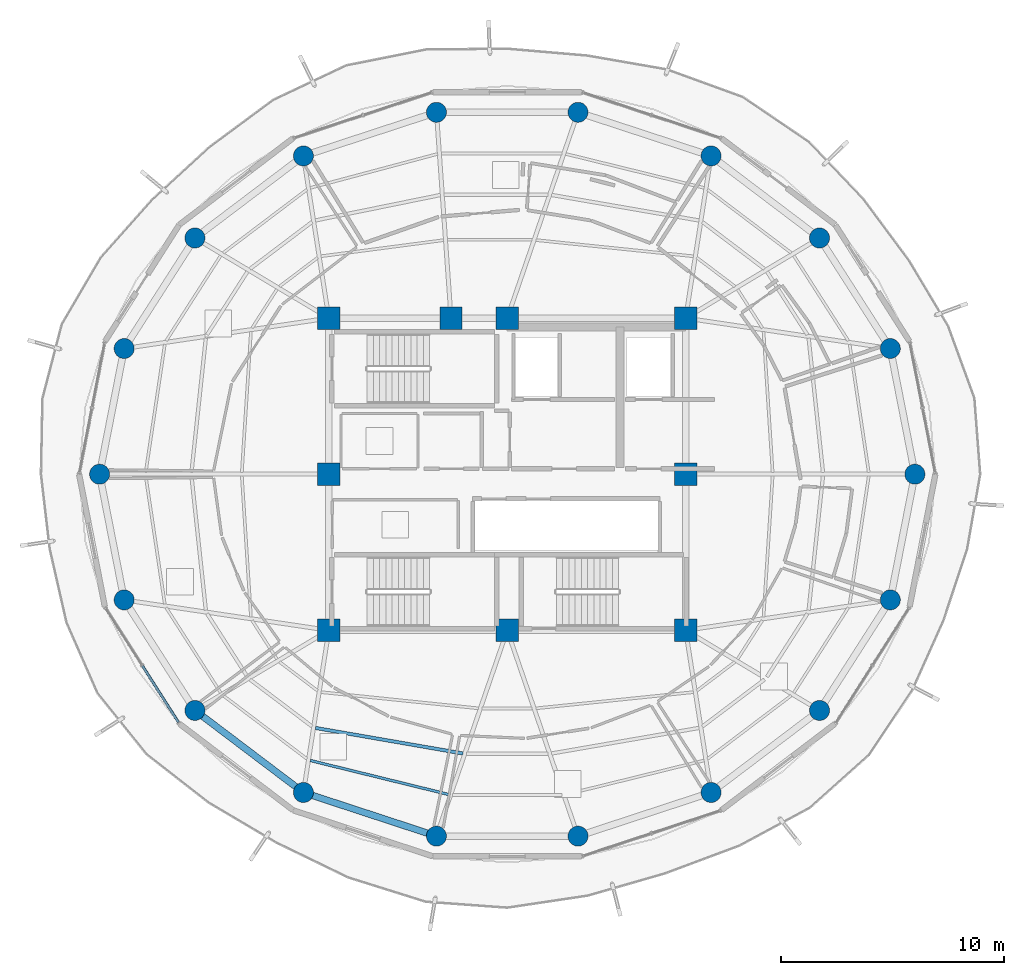
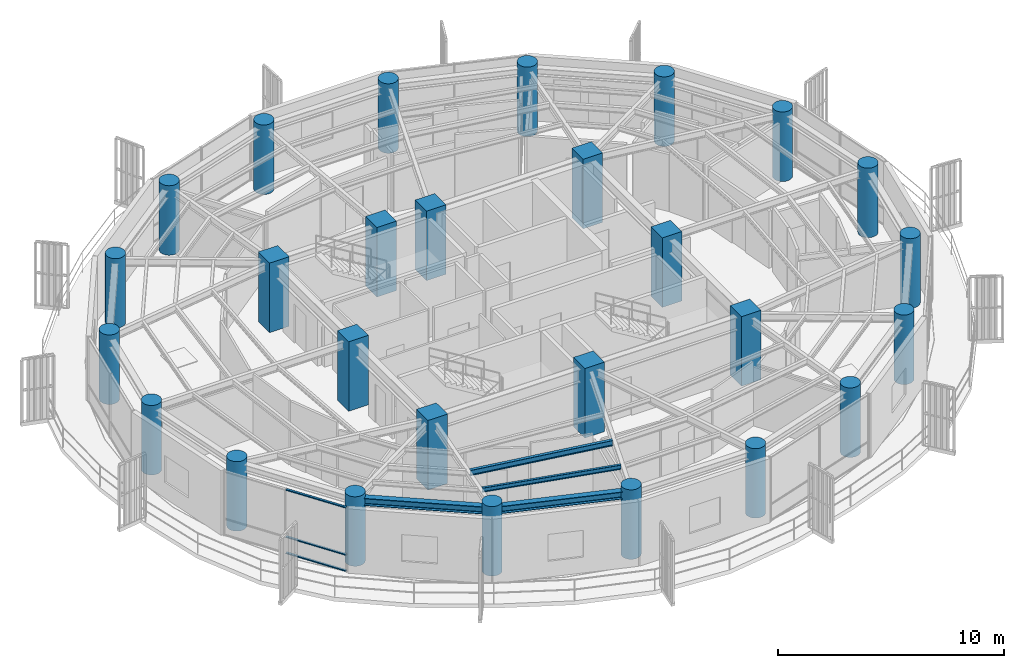
# One storey, part 1 of 22: 27 columns, 4 beams, 3 members, 1 element without a shape of its own.
"""IFC4 building model written with IfcOpenShell, lengths in metres."""

from ifc_helpers import new_model, si_unit, direction, frame, origin, origin_2d, place, context, subcontext, project, spatial, rectangle, hollow_rectangle, circle, i_section, extrude, material, layer, layer_set, material_profile, profile_set, type_object, element, aggregate, save


model = new_model("IFC4")

# Units and contexts
model_context = context("Model", 3, precision=1e-05, world=origin(), true_north=direction((0.0, 1.0)))
body_context = subcontext(model_context, "Body", "Model", "MODEL_VIEW")
ifc_project = project(units=[si_unit("LENGTHUNIT", "METRE"), si_unit("AREAUNIT", "SQUARE_METRE"), si_unit("VOLUMEUNIT", "CUBIC_METRE"), si_unit("PLANEANGLEUNIT", "RADIAN"), si_unit("MASSUNIT", "GRAM", prefix="KILO")], contexts=[model_context])

# Site, building, storey
site_placement = place(None, origin())
site = spatial("IfcSite", under=ifc_project, at=site_placement, CompositionType="ELEMENT")
building_placement = place(site_placement, origin())
building = spatial("IfcBuilding", under=site, at=building_placement, Name="Kelanora Arch Commons", CompositionType="ELEMENT")
storey_placement = place(building_placement, frame((0.0, 0.0, 263.699951171875)))
storey = spatial("IfcBuildingStorey", under=building, at=storey_placement, Name="L67", CompositionType="ELEMENT", Elevation=263.699951171875)

# Columns
ifc_material_1 = material(Name="Concrete C50/60", Category="concrete")
ifc_material_profile_1 = material_profile(ifc_material_1, circle(Radius=0.449951171875, at=origin_2d()), Name="RCC900")
ifc_profile_set_1 = profile_set([ifc_material_profile_1], Name="Concrete C50/60")
column_type_1 = type_object("IfcColumnType", Name="COL-PERIM-Z5", PredefinedType="COLUMN", material=ifc_profile_set_1)
for number, where, z_axis, x_axis, name in (
    (1, (92.280029296875, 58.0, 0.0), (0.0, 0.0, 1.0), (1.0, 0.0, 0.0), "Perimeter Ring Column CP-00 L67"),
    (2, (91.177490234375, 63.636474609375, 0.0), (0.0, 0.0, 1.0), (1.0, 0.0, 0.0), "Perimeter Ring Column CP-02 L67"),
    (3, (88.00341796875, 68.593017578125, 0.0), (0.0, 0.0, 1.0), (1.0, 0.0, 0.0), "Perimeter Ring Column CP-04 L67"),
    (4, (83.139892578125, 72.272216796875, 0.0), (0.0, 0.0, 1.0), (1.0, 0.0, 0.0), "Perimeter Ring Column CP-06 L67"),
    (5, (77.17431640625, 74.2294921875, 0.0), (0.0, 0.0, 1.0), (1.0, 0.0, 0.0), "Perimeter Ring Column CP-08 L67"),
    (6, (70.82568359375, 74.2294921875, 0.0), (0.0, 0.0, 1.0), (1.0, 0.0, 0.0), "Perimeter Ring Column CP-10 L67"),
    (7, (64.860107421875, 72.272216796875, 0.0), (0.0, 0.0, 1.0), (1.0, 0.0, 0.0), "Perimeter Ring Column CP-12 L67"),
    (8, (59.99658203125, 68.593017578125, 0.0), (0.0, 0.0, 1.0), (1.0, 0.0, 0.0), "Perimeter Ring Column CP-14 L67"),
    (9, (56.822509765625, 63.636474609375, 0.0), (0.0, 0.0, 1.0), (1.0, 0.0, 0.0), "Perimeter Ring Column CP-16 L67"),
    (10, (55.719970703125, 58.0, 0.0), (0.0, 0.0, 1.0), (1.0, 0.0, 0.0), "Perimeter Ring Column CP-18 L67"),
    (11, (56.822509765625, 52.363525390625, 0.0), (0.0, 0.0, 1.0), (1.0, 0.0, 0.0), "Perimeter Ring Column CP-20 L67"),
    (12, (59.99658203125, 47.406982421875, 0.0), (0.0, 0.0, 1.0), (1.0, 0.0, 0.0), "Perimeter Ring Column CP-22 L67"),
    (13, (64.860107421875, 43.727783203125, 0.0), (0.0, 0.0, 1.0), (1.0, 0.0, 0.0), "Perimeter Ring Column CP-24 L67"),
    (14, (70.82568359375, 41.7705078125, 0.0), (0.0, 0.0, 1.0), (1.0, 0.0, 0.0), "Perimeter Ring Column CP-26 L67"),
    (15, (77.17431640625, 41.7705078125, 0.0), (0.0, 0.0, 1.0), (1.0, 0.0, 0.0), "Perimeter Ring Column CP-28 L67"),
    (16, (83.139892578125, 43.727783203125, 0.0), (0.0, 0.0, 1.0), (1.0, 0.0, 0.0), "Perimeter Ring Column CP-30 L67"),
    (17, (88.00341796875, 47.406982421875, 0.0), (0.0, 0.0, 1.0), (1.0, 0.0, 0.0), "Perimeter Ring Column CP-32 L67"),
    (18, (91.177490234375, 52.363525390625, 0.0), (0.0, 0.0, 1.0), (1.0, 0.0, 0.0), "Perimeter Ring Column CP-34 L67"),
):
    element("IfcColumn", number, at=place(storey_placement, frame(where, z_axis=z_axis, x_axis=x_axis)), inside=storey, type_object=column_type_1, Name=name, PredefinedType="COLUMN", context=body_context, shape_type="SweptSolid", body=[
        extrude(circle(Radius=0.449951171875, at=origin_2d()), origin(), (0.0, 0.0, 1.0), 3.75),
    ])
ifc_material_profile_2 = material_profile(ifc_material_1, rectangle(XDim=1.0, YDim=1.0, at=origin_2d()), Name="RC1000x1000")
ifc_profile_set_2 = profile_set([ifc_material_profile_2], Name="Concrete C50/60")
column_type_2 = type_object("IfcColumnType", Name="COL-PIL-HIGH", PredefinedType="PILASTER", material=ifc_profile_set_2)
for number, where, z_axis, x_axis, name in (
    (19, (66.0, 51.0, 0.0), (0.0, 0.0, 1.0), (1.0, 0.0, 0.0), "Core Pilaster Column CP1 L67"),
    (20, (74.0, 51.0, 0.0), (0.0, 0.0, 1.0), (1.0, 0.0, 0.0), "Core Pilaster Column CP2 L67"),
    (21, (82.0, 51.0, 0.0), (0.0, 0.0, 1.0), (1.0, 0.0, 0.0), "Core Pilaster Column CP3 L67"),
    (22, (82.0, 58.0, 0.0), (0.0, 0.0, 1.0), (1.0, 0.0, 0.0), "Core Pilaster Column CP4 L67"),
    (23, (82.0, 65.0, 0.0), (0.0, 0.0, 1.0), (1.0, 0.0, 0.0), "Core Pilaster Column CP5 L67"),
    (24, (74.0, 65.0, 0.0), (0.0, 0.0, 1.0), (1.0, 0.0, 0.0), "Core Pilaster Column CP6 L67"),
    (25, (71.47998046875, 65.0, 0.0), (0.0, 0.0, 1.0), (1.0, 0.0, 0.0), "Core Pilaster Column CP9 L67"),
    (26, (66.0, 65.0, 0.0), (0.0, 0.0, 1.0), (1.0, 0.0, 0.0), "Core Pilaster Column CP7 L67"),
    (27, (66.0, 58.0, 0.0), (0.0, 0.0, 1.0), (1.0, 0.0, 0.0), "Core Pilaster Column CP8 L67"),
):
    element("IfcColumn", number, at=place(storey_placement, frame(where, z_axis=z_axis, x_axis=x_axis)), inside=storey, type_object=column_type_2, Name=name, PredefinedType="PILASTER", context=body_context, shape_type="SweptSolid", body=[
        extrude(rectangle(XDim=1.0, YDim=1.0, at=origin_2d()), origin(), (0.0, 0.0, 1.0), 3.75),
    ])

# Beams
ifc_material_2 = material(Name="Steel S355", Category="steel")
ifc_material_profile_3 = material_profile(ifc_material_2, i_section(OverallWidth=0.14990234375, OverallDepth=0.300048828125, WebThickness=0.007080078125, FlangeThickness=0.0107421875, FilletRadius=0.014892578125, at=origin_2d()), Name="IPE300")
ifc_profile_set_3 = profile_set([ifc_material_profile_3], Name="Steel S355")
beam_type_1 = type_object("IfcBeamType", Name="BM-JST-01", PredefinedType="JOIST", material=ifc_profile_set_3)
beam_1_placement = place(storey_placement, frame((65.39990234375, 46.622314453125, 3.340087890625), z_axis=(0.985321568263, -0.170708544357, 0.0), x_axis=(0.170708544357, 0.985321568263, 0.0)))
element("IfcBeam", 28, at=beam_1_placement, inside=storey, type_object=beam_type_1, Name="Secondary Chord Joist BJB-24 L67", PredefinedType="JOIST", context=body_context, shape_type="SweptSolid", body=[
    extrude(i_section(OverallWidth=0.14990234375, OverallDepth=0.300048828125, WebThickness=0.007080078125, FlangeThickness=0.0107421875, FilletRadius=0.014892578125, at=origin_2d()), origin(), (0.0, 0.0, 1.0), 6.710205078125),
])
ifc_material_profile_4 = material_profile(ifc_material_2, i_section(OverallWidth=0.1201171875, OverallDepth=0.239990234375, WebThickness=0.006103515625, FlangeThickness=0.009765625, FilletRadius=0.014892578125, at=origin_2d()), Name="IPE240")
ifc_profile_set_4 = profile_set([ifc_material_profile_4], Name="Steel S355")
beam_type_2 = type_object("IfcBeamType", Name="BM-JST-02", PredefinedType="JOIST", material=ifc_profile_set_4)
beam_2_placement = place(storey_placement, frame((65.17041015625, 45.162109375, 3.3701171875), z_axis=(0.971109719488, -0.23863342749, 0.0), x_axis=(0.23863342749, 0.971109719488, 0.0)))
element("IfcBeam", 29, at=beam_2_placement, inside=storey, type_object=beam_type_2, Name="Secondary Chord Joist BJC-24 L67", PredefinedType="JOIST", context=body_context, shape_type="SweptSolid", body=[
    extrude(i_section(OverallWidth=0.1201171875, OverallDepth=0.239990234375, WebThickness=0.006103515625, FlangeThickness=0.009765625, FilletRadius=0.014892578125, at=origin_2d()), origin(), (0.0, 0.0, 1.0), 6.39208984375),
])
ifc_material_profile_5 = material_profile(ifc_material_2, i_section(OverallWidth=0.300048828125, OverallDepth=0.39990234375, WebThickness=0.013427734375, FlangeThickness=0.02392578125, FilletRadius=0.027099609375, at=origin_2d()), Name="HEB400")
ifc_profile_set_5 = profile_set([ifc_material_profile_5], Name="Steel S355")
beam_type_3 = type_object("IfcBeamType", Name="BM-SPN-Z4", PredefinedType="SPANDREL", material=ifc_profile_set_5)
beam_3_placement = place(storey_placement, frame((59.99658203125, 47.406982421875, 3.2900390625), z_axis=(0.797509460967, -0.603306439273, 0.0), x_axis=(0.603306439273, 0.797509460967, 0.0)))
element("IfcBeam", 30, at=beam_3_placement, inside=storey, type_object=beam_type_3, Name="Perimeter Spandrel Beam BS-22 L67", PredefinedType="SPANDREL", context=body_context, shape_type="SweptSolid", body=[
    extrude(i_section(OverallWidth=0.300048828125, OverallDepth=0.39990234375, WebThickness=0.013427734375, FlangeThickness=0.02392578125, FilletRadius=0.027099609375, at=origin_2d()), origin(), (0.0, 0.0, 1.0), 6.098388671875),
])
beam_4_placement = place(storey_placement, frame((64.860107421875, 43.727783203125, 3.2900390625), z_axis=(0.950165923039, -0.311744636996, 0.0), x_axis=(0.311744636996, 0.950165923039, 0.0)))
element("IfcBeam", 31, at=beam_4_placement, inside=storey, type_object=beam_type_3, Name="Perimeter Spandrel Beam BS-24 L67", PredefinedType="SPANDREL", context=body_context, shape_type="SweptSolid", body=[
    extrude(i_section(OverallWidth=0.300048828125, OverallDepth=0.39990234375, WebThickness=0.013427734375, FlangeThickness=0.02392578125, FilletRadius=0.027099609375, at=origin_2d()), origin(), (0.0, 0.0, 1.0), 6.278564453125),
])

# Curtain wall, members
ifc_material_3 = material(Name="Terracotta ceramic-fritted low-E glass and aluminium", Category="masonry")
ifc_layer = layer(ifc_material_3, 0.18994140625)
ifc_layer_set = layer_set([ifc_layer], Name="Terracotta ceramic-fritted low-E glass and aluminium")
curtain_wall_type = type_object("IfcCurtainWallType", Name="CW-SYS-03", PredefinedType="NOTDEFINED", material=ifc_layer_set)
curtain_wall_placement = place(storey_placement, origin())
curtain_wall = element("IfcCurtainWall", 32, at=curtain_wall_placement, inside=storey, type_object=curtain_wall_type, Name="Unitised Curtain Wall L67-B10", PredefinedType="NOTDEFINED")
ifc_material_4 = material(Name="Powder-coated aluminium terracotta", Category="masonry")
ifc_material_profile_6 = material_profile(ifc_material_4, hollow_rectangle(XDim=0.1201171875, YDim=0.06005859375, WallThickness=0.0048828125, InnerFilletRadius=0.0048828125, OuterFilletRadius=0.010009765625, at=origin_2d()), Name="CWT120x60")
ifc_profile_set_6 = profile_set([ifc_material_profile_6], Name="Powder-coated aluminium terracotta")
member_type = type_object("IfcMemberType", Name="CWT-STD", PredefinedType="USERDEFINED", material=ifc_profile_set_6)
member_1_placement = place(storey_placement, frame((57.64111328125, 49.40673828125, 0.030029296875), z_axis=(0.537286543791, -0.84339976871, 0.0), x_axis=(0.84339976871, 0.537286543791, 0.0)))
member_1 = element("IfcMember", 33, at=member_1_placement, type_object=member_type, Name="CW-03 transom 2.1", ObjectType="TRANSOM", PredefinedType="USERDEFINED", context=body_context, shape_type="SweptSolid", body=[
    extrude(hollow_rectangle(XDim=0.1201171875, YDim=0.06005859375, WallThickness=0.0048828125, InnerFilletRadius=0.0048828125, OuterFilletRadius=0.010009765625, at=origin_2d()), origin(), (0.0, 0.0, 1.0), 2.997314453125),
])
member_2_placement = place(storey_placement, frame((57.64111328125, 49.40673828125, 0.900146484375), z_axis=(0.537286543791, -0.84339976871, 0.0), x_axis=(0.84339976871, 0.537286543791, 0.0)))
member_2 = element("IfcMember", 34, at=member_2_placement, type_object=member_type, Name="CW-03 transom 2.2", ObjectType="TRANSOM", PredefinedType="USERDEFINED", context=body_context, shape_type="SweptSolid", body=[
    extrude(hollow_rectangle(XDim=0.1201171875, YDim=0.06005859375, WallThickness=0.0048828125, InnerFilletRadius=0.0048828125, OuterFilletRadius=0.010009765625, at=origin_2d()), origin(), (0.0, 0.0, 1.0), 2.997314453125),
])
member_3_placement = place(storey_placement, frame((57.64111328125, 49.40673828125, 3.445068359375), z_axis=(0.537286543791, -0.84339976871, 0.0), x_axis=(0.84339976871, 0.537286543791, 0.0)))
member_3 = element("IfcMember", 35, at=member_3_placement, type_object=member_type, Name="CW-03 transom 2.3", ObjectType="TRANSOM", PredefinedType="USERDEFINED", context=body_context, shape_type="SweptSolid", body=[
    extrude(hollow_rectangle(XDim=0.1201171875, YDim=0.06005859375, WallThickness=0.0048828125, InnerFilletRadius=0.0048828125, OuterFilletRadius=0.010009765625, at=origin_2d()), origin(), (0.0, 0.0, 1.0), 2.997314453125),
])
aggregate(curtain_wall, [member_1, member_2, member_3])

save(model, "model.ifc")
